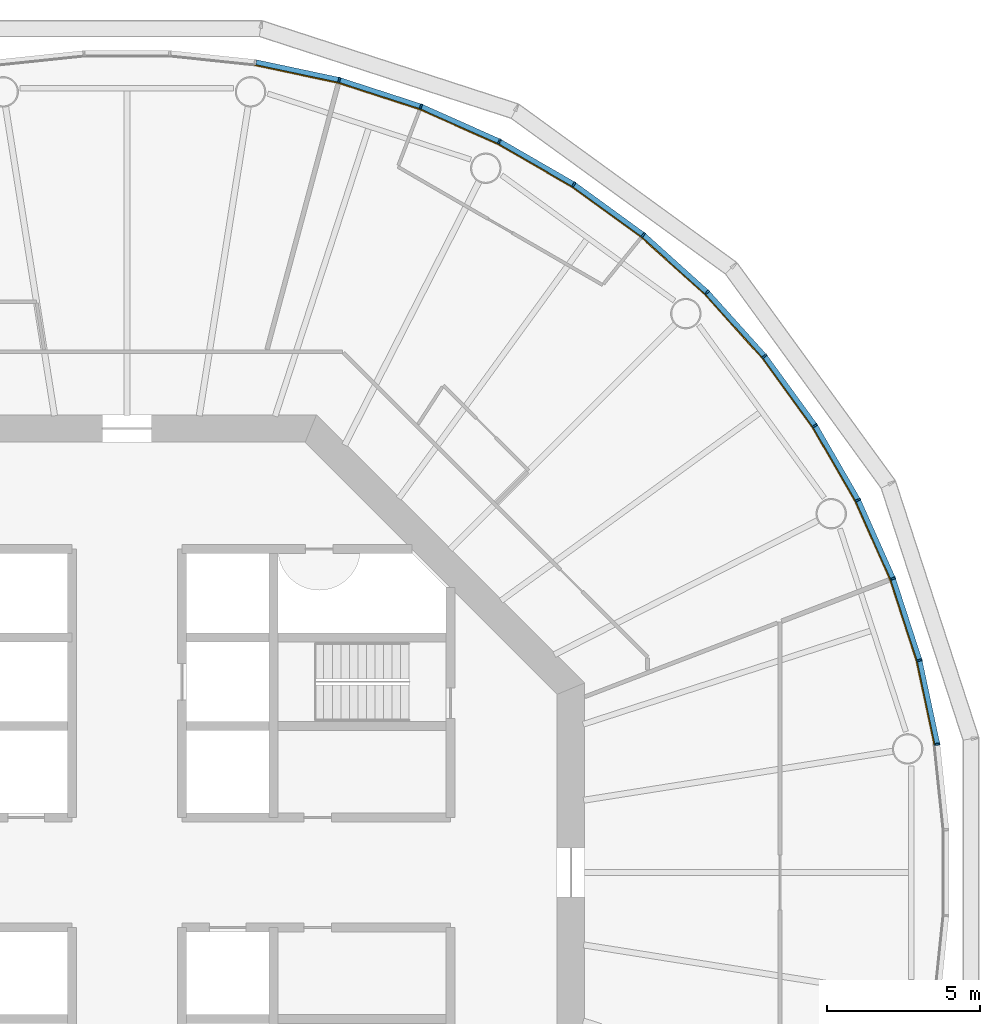
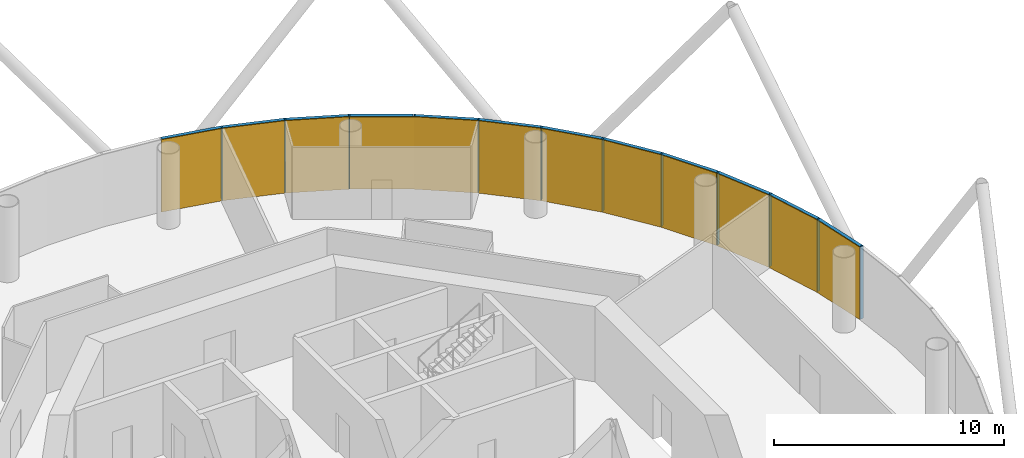
# One storey, part 11 of 12: 24 members, 4 curtain walls.
"""IFC4 building model written with IfcOpenShell, lengths in metres."""

from ifc_helpers import new_model, si_unit, direction, frame, origin, origin_2d, place, context, subcontext, project, spatial, polyline, rectangle, outline, extrude, material, layer, layer_set, material_profile, profile_set, type_object, element, aggregate, save


model = new_model("IFC4")

# Units and contexts
model_context = context("Model", 3, precision=1e-05, world=origin(), true_north=direction((0.0, 1.0)))
body_context = subcontext(model_context, "Body", "Model", "MODEL_VIEW")
ifc_project = project(units=[si_unit("LENGTHUNIT", "METRE"), si_unit("AREAUNIT", "SQUARE_METRE"), si_unit("VOLUMEUNIT", "CUBIC_METRE"), si_unit("PLANEANGLEUNIT", "RADIAN"), si_unit("MASSUNIT", "GRAM", prefix="KILO")], contexts=[model_context])

# Member
ifc_material_1 = material(Name="Anodised aluminium", Category="aluminium")
ifc_material_profile_1 = material_profile(ifc_material_1, rectangle(XDim=0.06005859375, YDim=0.169921875, at=origin_2d()), Name="Mullion 60 x 170 mm anodised aluminium")
ifc_profile_set_1 = profile_set([ifc_material_profile_1], Name="Anodised aluminium")
member_type_1 = type_object("IfcMemberType", Name="Mullion 60 x 170 mm anodised aluminium", PredefinedType="MULLION", material=ifc_profile_set_1)
site_placement = place(None, origin())
building_placement = place(site_placement, origin())
storey_placement = place(building_placement, frame((0.0, 0.0, 206.0)))
member_1_placement = place(storey_placement, frame((116.553955078125, 84.205810546875, 0.0), z_axis=(0.0, 0.0, 1.0), x_axis=(-0.15643446504, 0.987688340595, 0.0)))
member_1 = element("IfcMember", 1, at=member_1_placement, type_object=member_type_1, Name="MULLION L47-00", PredefinedType="MULLION", context=body_context, shape_type="SweptSolid", body=[
    extrude(rectangle(XDim=0.06005859375, YDim=0.169921875, at=origin_2d()), origin(), (0.0, 0.0, 1.0), 3.85009765625),
])

member_2_placement = place(storey_placement, frame((115.968994140625, 86.958251953125, 0.0), z_axis=(0.0, 0.0, 1.0), x_axis=(-0.258819045103, 0.965925826289, 0.0)))
member_2 = element("IfcMember", 2, at=member_2_placement, type_object=member_type_1, Name="MULLION L47-01", PredefinedType="MULLION", context=body_context, shape_type="SweptSolid", body=[
    extrude(rectangle(XDim=0.06005859375, YDim=0.169921875, at=origin_2d()), origin(), (0.0, 0.0, 1.0), 3.85009765625),
])

member_3_placement = place(storey_placement, frame((115.099365234375, 89.634765625, 0.0), z_axis=(0.0, 0.0, 1.0), x_axis=(-0.358367949545, 0.933580426497, 0.0)))
member_3 = element("IfcMember", 3, at=member_3_placement, type_object=member_type_1, Name="MULLION L47-02", PredefinedType="MULLION", context=body_context, shape_type="SweptSolid", body=[
    extrude(rectangle(XDim=0.06005859375, YDim=0.169921875, at=origin_2d()), origin(), (0.0, 0.0, 1.0), 3.85009765625),
])

member_4_placement = place(storey_placement, frame((113.95458984375, 92.20556640625, 0.0), z_axis=(0.0, 0.0, 1.0), x_axis=(-0.45399049974, 0.891006524188, 0.0)))
member_4 = element("IfcMember", 4, at=member_4_placement, type_object=member_type_1, Name="MULLION L47-03", PredefinedType="MULLION", context=body_context, shape_type="SweptSolid", body=[
    extrude(rectangle(XDim=0.06005859375, YDim=0.169921875, at=origin_2d()), origin(), (0.0, 0.0, 1.0), 3.85009765625),
])

member_5_placement = place(storey_placement, frame((112.547607421875, 94.642578125, 0.0), z_axis=(0.0, 0.0, 1.0), x_axis=(-0.544639035015, 0.838670567945, 0.0)))
member_5 = element("IfcMember", 5, at=member_5_placement, type_object=member_type_1, Name="MULLION L47-04", PredefinedType="MULLION", context=body_context, shape_type="SweptSolid", body=[
    extrude(rectangle(XDim=0.06005859375, YDim=0.169921875, at=origin_2d()), origin(), (0.0, 0.0, 1.0), 3.85009765625),
])

member_6_placement = place(storey_placement, frame((110.8935546875, 96.919189453125, 0.0), z_axis=(0.0, 0.0, 1.0), x_axis=(-0.62932039105, 0.777145961457, 0.0)))
member_6 = element("IfcMember", 6, at=member_6_placement, type_object=member_type_1, Name="MULLION L47-05", PredefinedType="MULLION", context=body_context, shape_type="SweptSolid", body=[
    extrude(rectangle(XDim=0.06005859375, YDim=0.169921875, at=origin_2d()), origin(), (0.0, 0.0, 1.0), 3.85009765625),
])

member_7_placement = place(storey_placement, frame((109.010498046875, 99.010498046875, 0.0), z_axis=(0.0, 0.0, 1.0), x_axis=(-0.707106781187, 0.707106781187, 0.0)))
member_7 = element("IfcMember", 7, at=member_7_placement, type_object=member_type_1, Name="MULLION L47-06", PredefinedType="MULLION", context=body_context, shape_type="SweptSolid", body=[
    extrude(rectangle(XDim=0.06005859375, YDim=0.169921875, at=origin_2d()), origin(), (0.0, 0.0, 1.0), 3.85009765625),
])

member_8_placement = place(storey_placement, frame((106.919189453125, 100.8935546875, 0.0), z_axis=(0.0, 0.0, 1.0), x_axis=(-0.777145961457, 0.62932039105, 0.0)))
member_8 = element("IfcMember", 8, at=member_8_placement, type_object=member_type_1, Name="MULLION L47-07", PredefinedType="MULLION", context=body_context, shape_type="SweptSolid", body=[
    extrude(rectangle(XDim=0.06005859375, YDim=0.169921875, at=origin_2d()), origin(), (0.0, 0.0, 1.0), 3.85009765625),
])

member_9_placement = place(storey_placement, frame((104.642578125, 102.547607421875, 0.0), z_axis=(0.0, 0.0, 1.0), x_axis=(-0.838670567945, 0.544639035015, 0.0)))
member_9 = element("IfcMember", 9, at=member_9_placement, type_object=member_type_1, Name="MULLION L47-08", PredefinedType="MULLION", context=body_context, shape_type="SweptSolid", body=[
    extrude(rectangle(XDim=0.06005859375, YDim=0.169921875, at=origin_2d()), origin(), (0.0, 0.0, 1.0), 3.85009765625),
])

member_10_placement = place(storey_placement, frame((102.20556640625, 103.95458984375, 0.0), z_axis=(0.0, 0.0, 1.0), x_axis=(-0.891006524188, 0.45399049974, 0.0)))
member_10 = element("IfcMember", 10, at=member_10_placement, type_object=member_type_1, Name="MULLION L47-09", PredefinedType="MULLION", context=body_context, shape_type="SweptSolid", body=[
    extrude(rectangle(XDim=0.06005859375, YDim=0.169921875, at=origin_2d()), origin(), (0.0, 0.0, 1.0), 3.85009765625),
])

member_11_placement = place(storey_placement, frame((99.634765625, 105.099365234375, 0.0), z_axis=(0.0, 0.0, 1.0), x_axis=(-0.933580426497, 0.358367949545, 0.0)))
member_11 = element("IfcMember", 11, at=member_11_placement, type_object=member_type_1, Name="MULLION L47-10", PredefinedType="MULLION", context=body_context, shape_type="SweptSolid", body=[
    extrude(rectangle(XDim=0.06005859375, YDim=0.169921875, at=origin_2d()), origin(), (0.0, 0.0, 1.0), 3.85009765625),
])

member_12_placement = place(storey_placement, frame((96.958251953125, 105.968994140625, 0.0), z_axis=(0.0, 0.0, 1.0), x_axis=(-0.965925826289, 0.258819045103, 0.0)))
member_12 = element("IfcMember", 12, at=member_12_placement, type_object=member_type_1, Name="MULLION L47-11", PredefinedType="MULLION", context=body_context, shape_type="SweptSolid", body=[
    extrude(rectangle(XDim=0.06005859375, YDim=0.169921875, at=origin_2d()), origin(), (0.0, 0.0, 1.0), 3.85009765625),
])

ifc_material_2 = material(Name="Anodised aluminium", Category="aluminium")
ifc_material_profile_2 = material_profile(ifc_material_2, rectangle(XDim=0.169921875, YDim=0.1650390625, at=origin_2d()), Name="Transom 165 x 170 mm anodised aluminium")
ifc_profile_set_2 = profile_set([ifc_material_profile_2], Name="Anodised aluminium")
member_type_2 = type_object("IfcMemberType", Name="Transom 165 x 170 mm anodised aluminium", PredefinedType="USERDEFINED", material=ifc_profile_set_2)
member_13_placement = place(storey_placement, frame((116.546875, 84.239501953125, 3.767578125), z_axis=(-0.207937468562, 0.97814212115, 0.0), x_axis=(-0.97814212115, -0.207937468562, 0.0)))
member_13 = element("IfcMember", 13, at=member_13_placement, type_object=member_type_2, Name="TRANSOM L47-00", ObjectType="TRANSOM", PredefinedType="USERDEFINED", context=body_context, shape_type="SweptSolid", body=[
    extrude(rectangle(XDim=0.169921875, YDim=0.1650390625, at=origin_2d()), origin(), (0.0, 0.0, 1.0), 2.7451171875),
])

member_14_placement = place(storey_placement, frame((115.95849609375, 86.9912109375, 3.767578125), z_axis=(-0.309041831781, 0.951048445774, 0.0), x_axis=(-0.951048445774, -0.309041831781, 0.0)))
member_14 = element("IfcMember", 14, at=member_14_placement, type_object=member_type_2, Name="TRANSOM L47-01", ObjectType="TRANSOM", PredefinedType="USERDEFINED", context=body_context, shape_type="SweptSolid", body=[
    extrude(rectangle(XDim=0.169921875, YDim=0.1650390625, at=origin_2d()), origin(), (0.0, 0.0, 1.0), 2.7451171875),
])

member_15_placement = place(storey_placement, frame((115.08544921875, 89.666259765625, 3.767578125), z_axis=(-0.406781987391, 0.913525267704, 0.0), x_axis=(-0.913525267704, -0.406781987391, 0.0)))
member_15 = element("IfcMember", 15, at=member_15_placement, type_object=member_type_2, Name="TRANSOM L47-02", ObjectType="TRANSOM", PredefinedType="USERDEFINED", context=body_context, shape_type="SweptSolid", body=[
    extrude(rectangle(XDim=0.169921875, YDim=0.1650390625, at=origin_2d()), origin(), (0.0, 0.0, 1.0), 2.7451171875),
])

member_16_placement = place(storey_placement, frame((113.9375, 92.2353515625, 3.767578125), z_axis=(-0.49998419723, 0.866034527326, 0.0), x_axis=(-0.866034527326, -0.49998419723, 0.0)))
member_16 = element("IfcMember", 16, at=member_16_placement, type_object=member_type_2, Name="TRANSOM L47-03", ObjectType="TRANSOM", PredefinedType="USERDEFINED", context=body_context, shape_type="SweptSolid", body=[
    extrude(rectangle(XDim=0.169921875, YDim=0.1650390625, at=origin_2d()), origin(), (0.0, 0.0, 1.0), 2.7451171875),
])

member_17_placement = place(storey_placement, frame((112.527587890625, 94.670654296875, 3.767578125), z_axis=(-0.587864947412, 0.808959086484, 0.0), x_axis=(-0.808959086484, -0.587864947412, 0.0)))
member_17 = element("IfcMember", 17, at=member_17_placement, type_object=member_type_2, Name="TRANSOM L47-04", ObjectType="TRANSOM", PredefinedType="USERDEFINED", context=body_context, shape_type="SweptSolid", body=[
    extrude(rectangle(XDim=0.169921875, YDim=0.1650390625, at=origin_2d()), origin(), (0.0, 0.0, 1.0), 2.7451171875),
])

member_18_placement = place(storey_placement, frame((110.87060546875, 96.945068359375, 3.767578125), z_axis=(-0.669141598561, 0.743134927907, 0.0), x_axis=(-0.743134927907, -0.669141598561, 0.0)))
member_18 = element("IfcMember", 18, at=member_18_placement, type_object=member_type_2, Name="TRANSOM L47-05", ObjectType="TRANSOM", PredefinedType="USERDEFINED", context=body_context, shape_type="SweptSolid", body=[
    extrude(rectangle(XDim=0.169921875, YDim=0.1650390625, at=origin_2d()), origin(), (0.0, 0.0, 1.0), 2.7451171875),
])

member_19_placement = place(storey_placement, frame((108.985107421875, 99.03369140625, 3.767578125), z_axis=(-0.743134927907, 0.669141598561, 0.0), x_axis=(-0.669141598561, -0.743134927907, 0.0)))
member_19 = element("IfcMember", 19, at=member_19_placement, type_object=member_type_2, Name="TRANSOM L47-06", ObjectType="TRANSOM", PredefinedType="USERDEFINED", context=body_context, shape_type="SweptSolid", body=[
    extrude(rectangle(XDim=0.169921875, YDim=0.1650390625, at=origin_2d()), origin(), (0.0, 0.0, 1.0), 2.7451171875),
])

member_20_placement = place(storey_placement, frame((106.891357421875, 100.913818359375, 3.767578125), z_axis=(-0.808959086484, 0.587864947412, 0.0), x_axis=(-0.587864947412, -0.808959086484, 0.0)))
member_20 = element("IfcMember", 20, at=member_20_placement, type_object=member_type_2, Name="TRANSOM L47-07", ObjectType="TRANSOM", PredefinedType="USERDEFINED", context=body_context, shape_type="SweptSolid", body=[
    extrude(rectangle(XDim=0.169921875, YDim=0.1650390625, at=origin_2d()), origin(), (0.0, 0.0, 1.0), 2.7451171875),
])

member_21_placement = place(storey_placement, frame((104.61279296875, 102.56494140625, 3.767578125), z_axis=(-0.866034527326, 0.49998419723, 0.0), x_axis=(-0.49998419723, -0.866034527326, 0.0)))
member_21 = element("IfcMember", 21, at=member_21_placement, type_object=member_type_2, Name="TRANSOM L47-08", ObjectType="TRANSOM", PredefinedType="USERDEFINED", context=body_context, shape_type="SweptSolid", body=[
    extrude(rectangle(XDim=0.169921875, YDim=0.1650390625, at=origin_2d()), origin(), (0.0, 0.0, 1.0), 2.7451171875),
])

member_22_placement = place(storey_placement, frame((102.174072265625, 103.96875, 3.767578125), z_axis=(-0.913525267704, 0.406781987391, 0.0), x_axis=(-0.406781987391, -0.913525267704, 0.0)))
member_22 = element("IfcMember", 22, at=member_22_placement, type_object=member_type_2, Name="TRANSOM L47-09", ObjectType="TRANSOM", PredefinedType="USERDEFINED", context=body_context, shape_type="SweptSolid", body=[
    extrude(rectangle(XDim=0.169921875, YDim=0.1650390625, at=origin_2d()), origin(), (0.0, 0.0, 1.0), 2.7451171875),
])

member_23_placement = place(storey_placement, frame((99.60205078125, 105.110107421875, 3.767578125), z_axis=(-0.951048445774, 0.309041831781, 0.0), x_axis=(-0.309041831781, -0.951048445774, 0.0)))
member_23 = element("IfcMember", 23, at=member_23_placement, type_object=member_type_2, Name="TRANSOM L47-10", ObjectType="TRANSOM", PredefinedType="USERDEFINED", context=body_context, shape_type="SweptSolid", body=[
    extrude(rectangle(XDim=0.169921875, YDim=0.1650390625, at=origin_2d()), origin(), (0.0, 0.0, 1.0), 2.7451171875),
])

member_24_placement = place(storey_placement, frame((96.924560546875, 105.97607421875, 3.767578125), z_axis=(-0.97814212115, 0.207937468562, 0.0), x_axis=(-0.207937468562, -0.97814212115, 0.0)))
member_24 = element("IfcMember", 24, at=member_24_placement, type_object=member_type_2, Name="TRANSOM L47-11", ObjectType="TRANSOM", PredefinedType="USERDEFINED", context=body_context, shape_type="SweptSolid", body=[
    extrude(rectangle(XDim=0.169921875, YDim=0.1650390625, at=origin_2d()), origin(), (0.0, 0.0, 1.0), 2.7451171875),
])

# Site, building, storey
site = spatial("IfcSite", under=ifc_project, at=site_placement, CompositionType="ELEMENT")
building = spatial("IfcBuilding", under=site, at=building_placement, Name="Entoto Ring Tower", CompositionType="ELEMENT")
storey = spatial("IfcBuildingStorey", under=building, at=storey_placement, Name="L47", CompositionType="ELEMENT", Elevation=206.0)

# Curtain wall
ifc_material_3 = material(Name="Clear low-iron glass", Category="glass")
ifc_layer = layer(ifc_material_3, 0.031982421875)
ifc_layer_set = layer_set([ifc_layer], Name="Clear low-iron glass")
curtain_wall_type = type_object("IfcCurtainWallType", Name="Curtain wall system CW4 glazing 32 mm", PredefinedType="NOTDEFINED", material=ifc_layer_set)
curtain_wall_1_placement = place(storey_placement, origin())
curtain_wall_1 = element("IfcCurtainWall", 25, at=curtain_wall_1_placement, inside=storey, type_object=curtain_wall_type, Name="CW4 L47-01", PredefinedType="NOTDEFINED", context=body_context, shape_type="SweptSolid", body=[
    extrude(outline(polyline([(116.469970703125, 84.1923828125), (115.88671875, 86.936279296875), (115.02001953125, 89.604248046875), (113.87890625, 92.1669921875), (113.850341796875, 92.15234375), (114.989990234375, 89.5927734375), (115.85595703125, 86.927978515625), (116.4384765625, 84.1875), (116.469970703125, 84.1923828125)])), origin(), (0.0, 0.0, 1.0), 3.85009765625),
])

aggregate(curtain_wall_1, [member_1, member_2, member_3, member_13, member_14, member_15])

curtain_wall_2_placement = place(storey_placement, origin())
curtain_wall_2 = element("IfcCurtainWall", 26, at=curtain_wall_2_placement, inside=storey, type_object=curtain_wall_type, Name="CW4 L47-02", PredefinedType="NOTDEFINED", context=body_context, shape_type="SweptSolid", body=[
    extrude(outline(polyline([(113.87890625, 92.1669921875), (112.476318359375, 94.596435546875), (110.827392578125, 96.86572265625), (108.950439453125, 98.950439453125), (108.927734375, 98.927734375), (110.802490234375, 96.845703125), (112.449462890625, 94.578857421875), (113.850341796875, 92.15234375), (113.87890625, 92.1669921875)])), origin(), (0.0, 0.0, 1.0), 3.85009765625),
])

aggregate(curtain_wall_2, [member_4, member_5, member_6, member_16, member_17, member_18])

curtain_wall_3_placement = place(storey_placement, origin())
curtain_wall_3 = element("IfcCurtainWall", 27, at=curtain_wall_3_placement, inside=storey, type_object=curtain_wall_type, Name="CW4 L47-03", PredefinedType="NOTDEFINED", context=body_context, shape_type="SweptSolid", body=[
    extrude(outline(polyline([(108.950439453125, 98.950439453125), (106.86572265625, 100.827392578125), (104.596435546875, 102.476318359375), (102.1669921875, 103.87890625), (102.15234375, 103.850341796875), (104.578857421875, 102.449462890625), (106.845703125, 100.802490234375), (108.927734375, 98.927734375), (108.950439453125, 98.950439453125)])), origin(), (0.0, 0.0, 1.0), 3.85009765625),
])

aggregate(curtain_wall_3, [member_7, member_8, member_9, member_19, member_20, member_21])

curtain_wall_4_placement = place(storey_placement, origin())
curtain_wall_4 = element("IfcCurtainWall", 28, at=curtain_wall_4_placement, inside=storey, type_object=curtain_wall_type, Name="CW4 L47-04", PredefinedType="NOTDEFINED", context=body_context, shape_type="SweptSolid", body=[
    extrude(outline(polyline([(102.1669921875, 103.87890625), (99.604248046875, 105.02001953125), (96.936279296875, 105.88671875), (94.1923828125, 106.469970703125), (94.1875, 106.4384765625), (96.927978515625, 105.85595703125), (99.5927734375, 104.989990234375), (102.15234375, 103.850341796875), (102.1669921875, 103.87890625)])), origin(), (0.0, 0.0, 1.0), 3.85009765625),
])

aggregate(curtain_wall_4, [member_10, member_11, member_12, member_22, member_23, member_24])

save(model, "model.ifc")
